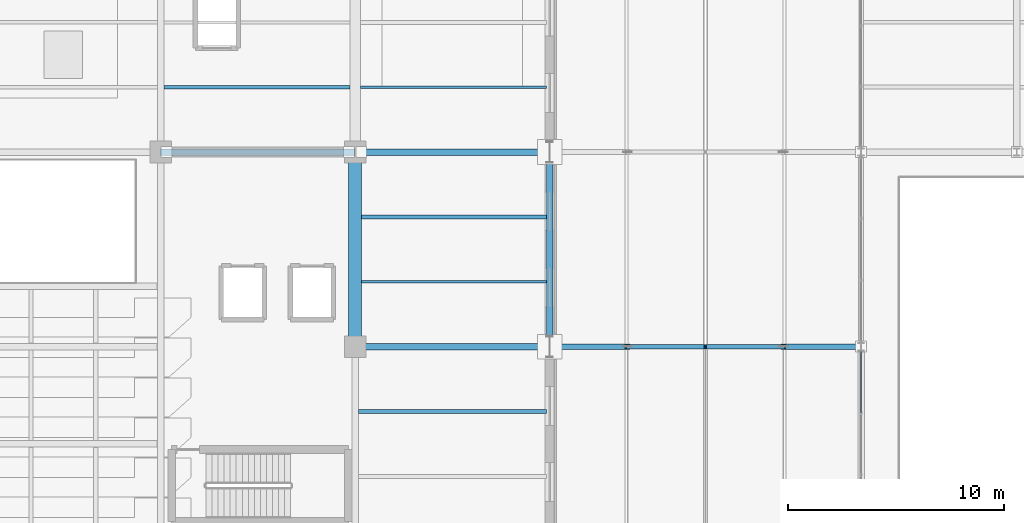
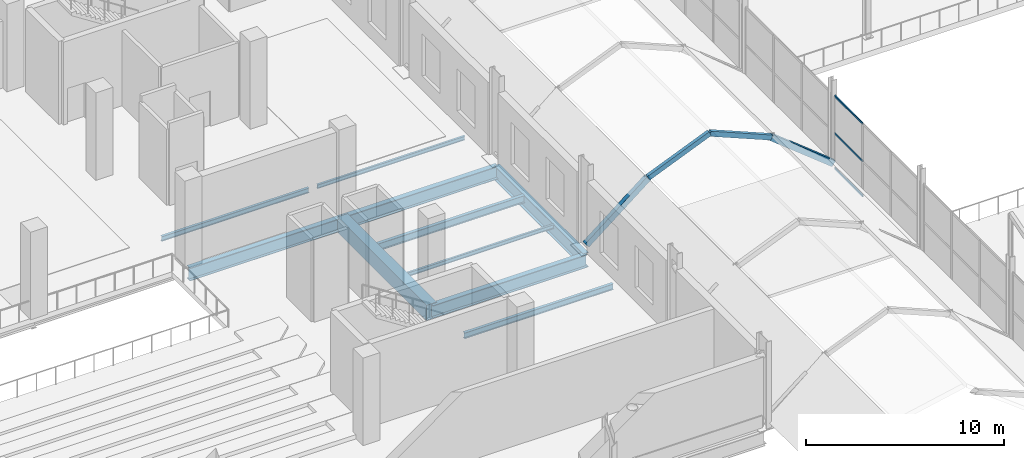
# One storey, part 33 of 141: 10 beams, 7 members, 1 element without a shape of its own.
"""IFC4 building model written with IfcOpenShell, lengths in metres."""

from ifc_helpers import new_model, si_unit, direction, frame, origin, origin_2d, place, context, subcontext, project, spatial, rectangle, hollow_rectangle, i_section, extrude, material, layer, layer_set, material_profile, profile_set, type_object, element, aggregate, save


model = new_model("IFC4")

# Units and contexts
model_context = context("Model", 3, precision=1e-05, world=origin(), true_north=direction((0.0, 1.0)))
body_context = subcontext(model_context, "Body", "Model", "MODEL_VIEW")
ifc_project = project(units=[si_unit("LENGTHUNIT", "METRE"), si_unit("AREAUNIT", "SQUARE_METRE"), si_unit("VOLUMEUNIT", "CUBIC_METRE"), si_unit("PLANEANGLEUNIT", "RADIAN"), si_unit("MASSUNIT", "GRAM", prefix="KILO")], contexts=[model_context])

# Site, building, storey
site_placement = place(None, origin())
site = spatial("IfcSite", under=ifc_project, at=site_placement, CompositionType="ELEMENT")
building_placement = place(site_placement, origin())
building = spatial("IfcBuilding", under=site, at=building_placement, Name="Sundgate Opera House", CompositionType="ELEMENT")
storey_placement = place(building_placement, frame((0.0, 0.0, 11.39990234375)))
storey = spatial("IfcBuildingStorey", under=building, at=storey_placement, Name="L02", CompositionType="ELEMENT", Elevation=11.39990234375)

# Beams
ifc_material_1 = material(Name="Steel S355J2", Category="steel")
ifc_material_profile_1 = material_profile(ifc_material_1, i_section(OverallWidth=0.1201171875, OverallDepth=0.239990234375, WebThickness=0.006103515625, FlangeThickness=0.009765625, at=origin_2d()), Name="IPE 240")
ifc_profile_set_1 = profile_set([ifc_material_profile_1], Name="Steel S355J2")
beam_type_1 = type_object("IfcBeamType", Name="BM-JS-IPE240", PredefinedType="JOIST", material=ifc_profile_set_1)
beam_1_placement = place(storey_placement, frame((72.300048828125, 54.0, -0.43994140625), z_axis=(1.0, 0.0, 0.0), x_axis=(0.0, 1.0, 0.0)))
element("IfcBeam", 1, at=beam_1_placement, inside=storey, type_object=beam_type_1, Name="L02 Secondary Floor Joist B2247", PredefinedType="JOIST", context=body_context, shape_type="SweptSolid", body=[
    extrude(i_section(OverallWidth=0.1201171875, OverallDepth=0.239990234375, WebThickness=0.006103515625, FlangeThickness=0.009765625, at=origin_2d()), origin(), (0.0, 0.0, 1.0), 8.550048828125),
])
beam_2_placement = place(storey_placement, frame((72.25, 63.0, -0.43994140625), z_axis=(1.0, 0.0, 0.0), x_axis=(0.0, 1.0, 0.0)))
element("IfcBeam", 2, at=beam_2_placement, inside=storey, type_object=beam_type_1, Name="L02 Secondary Floor Joist B2261", PredefinedType="JOIST", context=body_context, shape_type="SweptSolid", body=[
    extrude(i_section(OverallWidth=0.1201171875, OverallDepth=0.239990234375, WebThickness=0.006103515625, FlangeThickness=0.009765625, at=origin_2d()), origin(), (0.0, 0.0, 1.0), 8.60009765625),
])
ifc_material_2 = material(Name="Steel S355J2", Category="steel")
ifc_material_profile_2 = material_profile(ifc_material_2, i_section(OverallWidth=0.14990234375, OverallDepth=0.300048828125, WebThickness=0.007080078125, FlangeThickness=0.0107421875, at=origin_2d()), Name="IPE 300")
ifc_profile_set_2 = profile_set([ifc_material_profile_2], Name="Steel S355J2")
beam_type_2 = type_object("IfcBeamType", Name="BM-JS-IPE300", PredefinedType="JOIST", material=ifc_profile_set_2)
beam_3_placement = place(storey_placement, frame((63.14990234375, 63.0, -0.469970703125), z_axis=(1.0, 0.0, 0.0), x_axis=(0.0, 1.0, 0.0)))
element("IfcBeam", 3, at=beam_3_placement, inside=storey, type_object=beam_type_2, Name="L02 Secondary Floor Joist B2259", PredefinedType="JOIST", context=body_context, shape_type="SweptSolid", body=[
    extrude(i_section(OverallWidth=0.14990234375, OverallDepth=0.300048828125, WebThickness=0.007080078125, FlangeThickness=0.0107421875, at=origin_2d()), origin(), (0.0, 0.0, 1.0), 8.60009765625),
])
ifc_material_3 = material(Name="Steel S355J2", Category="steel")
ifc_material_profile_3 = material_profile(ifc_material_3, i_section(OverallWidth=0.169921875, OverallDepth=0.360107421875, WebThickness=0.008056640625, FlangeThickness=0.0126953125, at=origin_2d()), Name="IPE 360")
ifc_profile_set_3 = profile_set([ifc_material_profile_3], Name="Steel S355J2")
beam_type_3 = type_object("IfcBeamType", Name="BM-JS-IPE360", PredefinedType="JOIST", material=ifc_profile_set_3)
beam_4_placement = place(storey_placement, frame((72.14990234375, 48.0, -0.5), z_axis=(1.0, 0.0, 0.0), x_axis=(0.0, 1.0, 0.0)))
element("IfcBeam", 4, at=beam_4_placement, inside=storey, type_object=beam_type_3, Name="L02 Secondary Floor Joist B2236", PredefinedType="JOIST", context=body_context, shape_type="SweptSolid", body=[
    extrude(i_section(OverallWidth=0.169921875, OverallDepth=0.360107421875, WebThickness=0.008056640625, FlangeThickness=0.0126953125, at=origin_2d()), origin(), (0.0, 0.0, 1.0), 8.7001953125),
])
ifc_material_4 = material(Name="Steel S355J2", Category="steel")
ifc_material_profile_4 = material_profile(ifc_material_4, i_section(OverallWidth=0.18994140625, OverallDepth=0.449951171875, WebThickness=0.009521484375, FlangeThickness=0.0146484375, at=origin_2d()), Name="IPE 450")
ifc_profile_set_4 = profile_set([ifc_material_profile_4], Name="Steel S355J2")
beam_type_4 = type_object("IfcBeamType", Name="BM-JS-IPE450", PredefinedType="JOIST", material=ifc_profile_set_4)
beam_5_placement = place(storey_placement, frame((72.300048828125, 57.0, -0.544921875), z_axis=(1.0, 0.0, 0.0), x_axis=(0.0, 1.0, 0.0)))
element("IfcBeam", 5, at=beam_5_placement, inside=storey, type_object=beam_type_4, Name="L02 Secondary Floor Joist B2248", PredefinedType="JOIST", context=body_context, shape_type="SweptSolid", body=[
    extrude(i_section(OverallWidth=0.18994140625, OverallDepth=0.449951171875, WebThickness=0.009521484375, FlangeThickness=0.0146484375, at=origin_2d()), origin(), (0.0, 0.0, 1.0), 8.550048828125),
])
ifc_material_5 = material(Name="Steel S355J2", Category="steel")
ifc_material_profile_5 = material_profile(ifc_material_5, i_section(OverallWidth=0.300048828125, OverallDepth=0.800048828125, WebThickness=0.017578125, FlangeThickness=0.032958984375, at=origin_2d()), Name="HEB 800")
ifc_profile_set_5 = profile_set([ifc_material_profile_5], Name="Steel S355J2")
beam_type_5 = type_object("IfcBeamType", Name="BM-OUT-HEB800", PredefinedType="BEAM", material=ifc_profile_set_5)
for number, where, z_axis, x_axis, name in (
    (6, (72.0, 51.0, -0.75), (1.0, 0.0, 0.0), (0.0, 1.0, 0.0), "L02 Cube Outrigger Girder B0047"),
    (7, (63.0, 60.0, -0.75), (1.0, 0.0, 0.0), (0.0, 1.0, 0.0), "L02 Cube Outrigger Back-Span Girder B0049"),
    (8, (72.0, 60.0, -0.75), (1.0, 0.0, 0.0), (0.0, 1.0, 0.0), "L02 Cube Outrigger Girder B0051"),
):
    element("IfcBeam", number, at=place(storey_placement, frame(where, z_axis=z_axis, x_axis=x_axis)), inside=storey, type_object=beam_type_5, Name=name, PredefinedType="BEAM", context=body_context, shape_type="SweptSolid", body=[
        extrude(i_section(OverallWidth=0.300048828125, OverallDepth=0.800048828125, WebThickness=0.017578125, FlangeThickness=0.032958984375, at=origin_2d()), origin(), (0.0, 0.0, 1.0), 9.0),
    ])
ifc_material_6 = material(Name="Concrete C40/50", Category="concrete")
ifc_material_profile_6 = material_profile(ifc_material_6, rectangle(XDim=0.60009765625, YDim=0.949951171875, at=origin_2d()), Name="RC 600x950")
ifc_profile_set_6 = profile_set([ifc_material_profile_6], Name="Concrete C40/50")
beam_type_6 = type_object("IfcBeamType", Name="BM-RC-600x950", PredefinedType="BEAM", material=ifc_profile_set_6)
beam_6_placement = place(storey_placement, frame((72.0, 51.0, -0.794921875), z_axis=(0.0, 1.0, 0.0), x_axis=(-1.0, 0.0, 0.0)))
element("IfcBeam", 9, at=beam_6_placement, inside=storey, type_object=beam_type_6, Name="L02 Primary N-S Girder B1838", PredefinedType="BEAM", context=body_context, shape_type="SweptSolid", body=[
    extrude(rectangle(XDim=0.60009765625, YDim=0.949951171875, at=origin_2d()), origin(), (0.0, 0.0, 1.0), 9.0),
])
ifc_material_7 = material(Name="Steel S355ML", Category="steel")
ifc_material_profile_7 = material_profile(ifc_material_7, i_section(OverallWidth=0.300048828125, OverallDepth=0.89990234375, WebThickness=0.0185546875, FlangeThickness=0.034912109375, at=origin_2d()), Name="HEB 900")
ifc_profile_set_7 = profile_set([ifc_material_profile_7], Name="Steel S355ML")
beam_type_7 = type_object("IfcBeamType", Name="BM-TR-HEB900", PredefinedType="BEAM", material=ifc_profile_set_7)
beam_7_placement = place(storey_placement, frame((81.0, 51.0, -0.7998046875), z_axis=(0.0, 1.0, 0.0), x_axis=(-1.0, 0.0, 0.0)))
element("IfcBeam", 10, at=beam_7_placement, inside=storey, type_object=beam_type_7, Name="L02 Cube Perimeter Transfer Girder B0021", PredefinedType="BEAM", context=body_context, shape_type="SweptSolid", body=[
    extrude(i_section(OverallWidth=0.300048828125, OverallDepth=0.89990234375, WebThickness=0.0185546875, FlangeThickness=0.034912109375, at=origin_2d()), origin(), (0.0, 0.0, 1.0), 9.0),
])

# Curtain wall, members
ifc_material_8 = material(Name="Anodized aluminium and low-iron glass", Category="aluminium")
ifc_layer = layer(ifc_material_8, 0.159912109375)
ifc_layer_set = layer_set([ifc_layer], Name="Anodized aluminium and low-iron glass")
curtain_wall_type = type_object("IfcCurtainWallType", Name="CW-STUDIO-DARK", PredefinedType="NOTDEFINED", material=ifc_layer_set)
curtain_wall_placement = place(storey_placement, origin())
curtain_wall = element("IfcCurtainWall", 11, at=curtain_wall_placement, inside=storey, type_object=curtain_wall_type, Name="L02 Curtain Wall CW064", PredefinedType="NOTDEFINED")
ifc_material_9 = material(Name="Anodized aluminium EN AW-6063", Category="aluminium")
ifc_material_profile_8 = material_profile(ifc_material_9, hollow_rectangle(XDim=0.054931640625, YDim=0.1201171875, WallThickness=0.00390625, at=origin_2d()), Name="CWT 120x55x4")
ifc_profile_set_8 = profile_set([ifc_material_profile_8], Name="Anodized aluminium EN AW-6063")
member_type_1 = type_object("IfcMemberType", Name="CWT-ALU-120x55", PredefinedType="USERDEFINED", material=ifc_profile_set_8)
member_1_placement = place(storey_placement, frame((95.39990234375, 50.77490234375, 0.0), z_axis=(0.0, -1.0, 0.0), x_axis=(1.0, 0.0, 0.0)))
member_1 = element("IfcMember", 12, at=member_1_placement, type_object=member_type_1, Name="CW064 Transom 1", ObjectType="TRANSOM", PredefinedType="USERDEFINED", context=body_context, shape_type="SweptSolid", body=[
    extrude(hollow_rectangle(XDim=0.054931640625, YDim=0.1201171875, WallThickness=0.00390625, at=origin_2d()), origin(), (0.0, 0.0, 1.0), 2.849853515625),
])
member_2_placement = place(storey_placement, frame((95.39990234375, 50.77490234375, 2.150146484375), z_axis=(0.0, -1.0, 0.0), x_axis=(1.0, 0.0, 0.0)))
member_2 = element("IfcMember", 13, at=member_2_placement, type_object=member_type_1, Name="CW064 Transom 2", ObjectType="TRANSOM", PredefinedType="USERDEFINED", context=body_context, shape_type="SweptSolid", body=[
    extrude(hollow_rectangle(XDim=0.054931640625, YDim=0.1201171875, WallThickness=0.00390625, at=origin_2d()), origin(), (0.0, 0.0, 1.0), 2.849853515625),
])
member_3_placement = place(storey_placement, frame((95.39990234375, 50.77490234375, 4.455078125), z_axis=(0.0, -1.0, 0.0), x_axis=(1.0, 0.0, 0.0)))
member_3 = element("IfcMember", 14, at=member_3_placement, type_object=member_type_1, Name="CW064 Transom 3", ObjectType="TRANSOM", PredefinedType="USERDEFINED", context=body_context, shape_type="SweptSolid", body=[
    extrude(hollow_rectangle(XDim=0.054931640625, YDim=0.1201171875, WallThickness=0.00390625, at=origin_2d()), origin(), (0.0, 0.0, 1.0), 2.849853515625),
])
aggregate(curtain_wall, [member_1, member_2, member_3])

# Members
ifc_material_10 = material(Name="Steel S355J2", Category="steel")
ifc_material_profile_9 = material_profile(ifc_material_10, hollow_rectangle(XDim=0.199951171875, YDim=0.300048828125, WallThickness=0.012451171875, at=origin_2d()), Name="RHS 300x200x12.5")
ifc_profile_set_9 = profile_set([ifc_material_profile_9], Name="Steel S355J2")
member_type_2 = type_object("IfcMemberType", Name="MB-ARCH-RHS300", PredefinedType="USERDEFINED", material=ifc_profile_set_9)
member_4_placement = place(storey_placement, frame((84.60009765625, 51.0, 3.050048828125), z_axis=(0.923071366561, 0.0, 0.384628719983), x_axis=(0.0, 1.0, 0.0)))
element("IfcMember", 15, at=member_4_placement, inside=storey, type_object=member_type_2, Name="Passage Parabolic Arch Rib M0322", ObjectType="ARCH RIB", PredefinedType="USERDEFINED", context=body_context, shape_type="SweptSolid", body=[
    extrude(hollow_rectangle(XDim=0.199951171875, YDim=0.300048828125, WallThickness=0.012451171875, at=origin_2d()), origin(), (0.0, 0.0, 1.0), 3.89990234375),
])
member_5_placement = place(storey_placement, frame((88.199951171875, 51.0, 4.550048828125), z_axis=(0.9230806271, 0.0, -0.384606494839), x_axis=(0.0, 1.0, 0.0)))
element("IfcMember", 16, at=member_5_placement, inside=storey, type_object=member_type_2, Name="Passage Parabolic Arch Rib M0323", ObjectType="ARCH RIB", PredefinedType="USERDEFINED", context=body_context, shape_type="SweptSolid", body=[
    extrude(hollow_rectangle(XDim=0.199951171875, YDim=0.300048828125, WallThickness=0.012451171875, at=origin_2d()), origin(), (0.0, 0.0, 1.0), 3.900146484375),
])
ifc_material_11 = material(Name="Steel S355ML", Category="steel")
ifc_material_profile_10 = material_profile(ifc_material_11, hollow_rectangle(XDim=0.25, YDim=0.35009765625, WallThickness=0.012451171875, at=origin_2d()), Name="RHS 350x250x12.5")
ifc_profile_set_10 = profile_set([ifc_material_profile_10], Name="Steel S355ML")
member_type_3 = type_object("IfcMemberType", Name="MB-ARCH-RHS350", PredefinedType="USERDEFINED", material=ifc_profile_set_10)
member_6_placement = place(storey_placement, frame((81.0, 51.0, 0.18505859375), z_axis=(0.782465902377, 0.0, 0.622693433093), x_axis=(0.0, 1.0, 0.0)))
element("IfcMember", 17, at=member_6_placement, inside=storey, type_object=member_type_3, Name="Passage Parabolic Arch Rib M0321", ObjectType="ARCH RIB", PredefinedType="USERDEFINED", context=body_context, shape_type="SweptSolid", body=[
    extrude(hollow_rectangle(XDim=0.25, YDim=0.35009765625, WallThickness=0.012451171875, at=origin_2d()), origin(), (0.0, 0.0, 1.0), 4.60107421875),
])
member_7_placement = place(storey_placement, frame((91.800048828125, 51.0, 3.050048828125), z_axis=(0.782445326099, 0.0, -0.622719288015), x_axis=(0.0, 1.0, 0.0)))
element("IfcMember", 18, at=member_7_placement, inside=storey, type_object=member_type_3, Name="Passage Parabolic Arch Rib M0324", ObjectType="ARCH RIB", PredefinedType="USERDEFINED", context=body_context, shape_type="SweptSolid", body=[
    extrude(hollow_rectangle(XDim=0.25, YDim=0.35009765625, WallThickness=0.012451171875, at=origin_2d()), origin(), (0.0, 0.0, 1.0), 4.600830078125),
])

save(model, "model.ifc")
